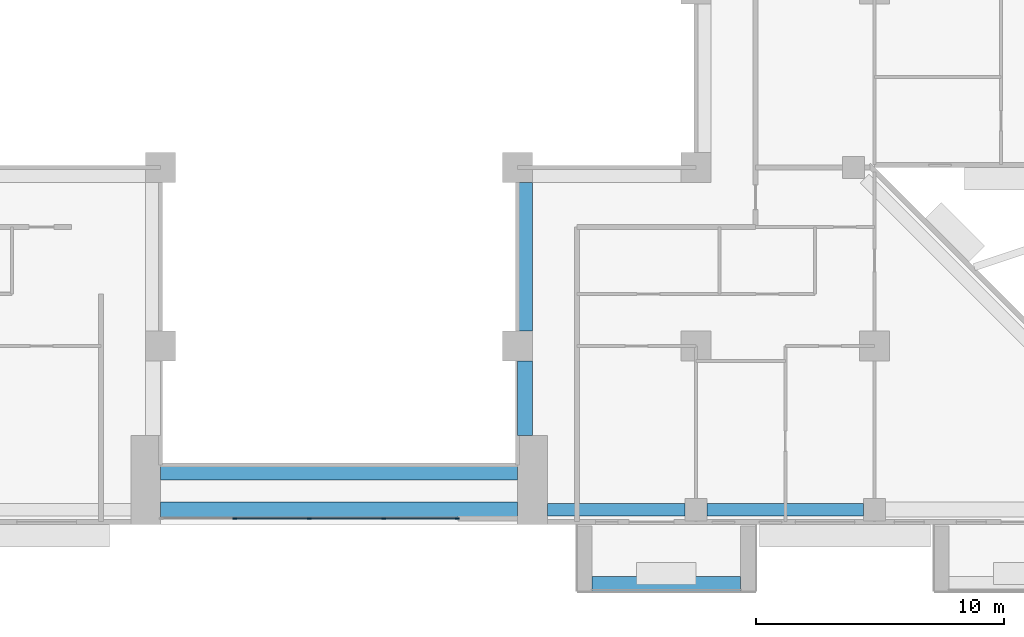
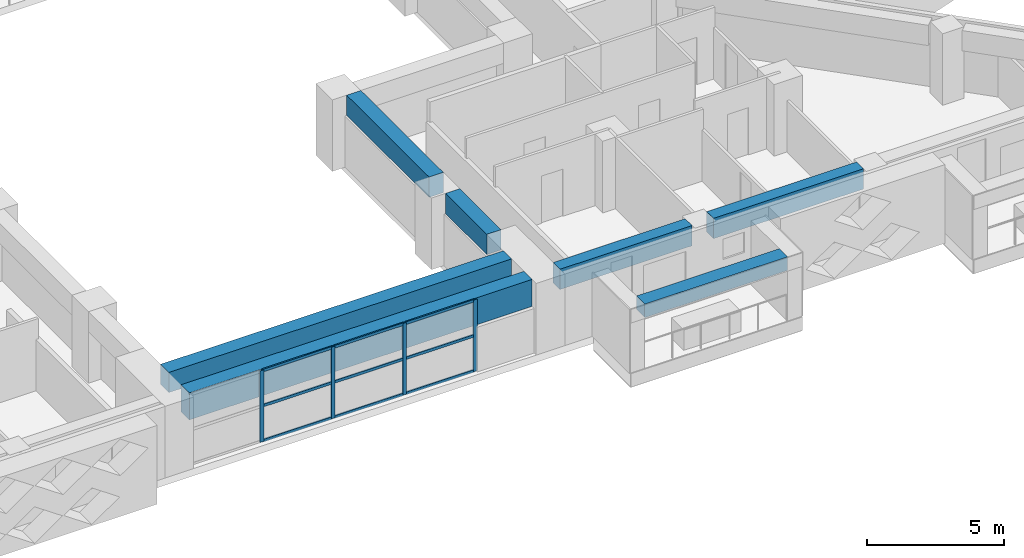
# One storey, part 4 of 17: 13 members, 7 beams, 1 element without a shape of its own.
"""IFC4 building model written with IfcOpenShell, lengths in metres."""

from ifc_helpers import new_model, si_unit, direction, frame, origin, origin_2d, place, context, subcontext, project, spatial, rectangle, extrude, source, transform, mapped, material, layer, layer_set, material_profile, profile_set, type_object, element, aggregate, save


model = new_model("IFC4")

# Units and contexts
model_context = context("Model", 3, precision=1e-05, world=origin(), true_north=direction((0.0, 1.0)))
body_context = subcontext(model_context, "Body", "Model", "MODEL_VIEW")
ifc_project = project(units=[si_unit("LENGTHUNIT", "METRE"), si_unit("AREAUNIT", "SQUARE_METRE"), si_unit("VOLUMEUNIT", "CUBIC_METRE"), si_unit("PLANEANGLEUNIT", "RADIAN"), si_unit("MASSUNIT", "GRAM", prefix="KILO")], contexts=[model_context])

# Site, building, storey
site_placement = place(None, origin())
site = spatial("IfcSite", under=ifc_project, at=site_placement, CompositionType="ELEMENT")
building_placement = place(site_placement, origin())
building = spatial("IfcBuilding", under=site, at=building_placement, Name="Saffron Iwan Residences", CompositionType="ELEMENT")
storey_placement = place(building_placement, frame((0.0, 0.0, 100.5)))
storey = spatial("IfcBuildingStorey", under=building, at=storey_placement, Name="L26", CompositionType="ELEMENT", Elevation=100.5)

# Beams
ifc_material_1 = material(Name="Concrete C60/75", Category="concrete")
ifc_material_profile_1 = material_profile(ifc_material_1, rectangle(XDim=0.60009765625, YDim=1.199951171875, at=origin_2d()), Name="RC 600x1200")
ifc_profile_set_1 = profile_set([ifc_material_profile_1], Name="Concrete C60/75")
beam_type_1 = type_object("IfcBeamType", Name="LINTEL BEAM RC 600x1200 C60/75 TOP 3180", PredefinedType="LINTEL", material=ifc_profile_set_1)
shared_shape_1 = source(origin(), body_context, "Body", "SweptSolid", [
    extrude(rectangle(XDim=0.60009765625, YDim=1.199951171875, at=origin_2d()), origin(), (0.0, 0.0, 1.0), 14.400146484375),
])
beam_1_placement = place(storey_placement, frame((57.60009765625, 34.199951171875, 2.580078125), z_axis=(-1.0, 0.0, 0.0), x_axis=(0.0, -1.0, 0.0)))
element("IfcBeam", 1, at=beam_1_placement, inside=storey, type_object=beam_type_1, Name="Lintel beam over the iwan", PredefinedType="LINTEL", context=body_context, shape_type="MappedRepresentation", body=[
    mapped(shared_shape_1, transform((0.0, 0.0, 0.0))),
])
ifc_material_profile_2 = material_profile(ifc_material_1, rectangle(XDim=0.60009765625, YDim=0.89990234375, at=origin_2d()), Name="RC 600x900")
ifc_profile_set_2 = profile_set([ifc_material_profile_2], Name="Concrete C60/75")
beam_type_2 = type_object("IfcBeamType", Name="BEAM RC 600x900 C60/75 TOP 3180", PredefinedType="BEAM", material=ifc_profile_set_2)
shared_shape_2 = source(origin(), body_context, "Body", "SweptSolid", [
    extrude(rectangle(XDim=0.60009765625, YDim=0.89990234375, at=origin_2d()), origin(), (0.0, 0.0, 1.0), 14.400146484375),
])
beam_2_placement = place(storey_placement, frame((57.60009765625, 35.699951171875, 2.72998046875), z_axis=(-1.0, 0.0, 0.0), x_axis=(0.0, -1.0, 0.0)))
element("IfcBeam", 2, at=beam_2_placement, inside=storey, type_object=beam_type_2, Name="Atrium edge beam", PredefinedType="BEAM", context=body_context, shape_type="MappedRepresentation", body=[
    mapped(shared_shape_2, transform((0.0, 0.0, 0.0))),
])
ifc_material_profile_3 = material_profile(ifc_material_1, rectangle(XDim=0.5, YDim=0.89990234375, at=origin_2d()), Name="RC 500x900")
ifc_profile_set_3 = profile_set([ifc_material_profile_3], Name="Concrete C60/75")
beam_type_3 = type_object("IfcBeamType", Name="SPANDREL BEAM RC 500x900 C60/75 TOP 3180", PredefinedType="SPANDREL", material=ifc_profile_set_3)
shared_shape_3 = source(origin(), body_context, "Body", "SweptSolid", [
    extrude(rectangle(XDim=0.5, YDim=0.89990234375, at=origin_2d()), origin(), (0.0, 0.0, 1.0), 6.300048828125),
])
beam_3_placement = place(storey_placement, frame((71.550048828125, 34.199951171875, 2.72998046875), z_axis=(-1.0, 0.0, 0.0), x_axis=(0.0, -1.0, 0.0)))
element("IfcBeam", 3, at=beam_3_placement, inside=storey, type_object=beam_type_3, Name="Spandrel beam", PredefinedType="SPANDREL", context=body_context, shape_type="MappedRepresentation", body=[
    mapped(shared_shape_3, transform((0.0, 0.0, 0.0))),
])
shared_shape_4 = source(origin(), body_context, "Body", "SweptSolid", [
    extrude(rectangle(XDim=0.5, YDim=0.89990234375, at=origin_2d()), origin(), (0.0, 0.0, 1.0), 5.550048828125),
])
beam_4_placement = place(storey_placement, frame((64.35009765625, 34.199951171875, 2.72998046875), z_axis=(-1.0, 0.0, 0.0), x_axis=(0.0, -1.0, 0.0)))
element("IfcBeam", 4, at=beam_4_placement, inside=storey, type_object=beam_type_3, Name="Spandrel beam", PredefinedType="SPANDREL", context=body_context, shape_type="MappedRepresentation", body=[
    mapped(shared_shape_4, transform((0.0, 0.0, 0.0))),
])
shared_shape_5 = source(origin(), body_context, "Body", "SweptSolid", [
    extrude(rectangle(XDim=0.60009765625, YDim=0.89990234375, at=origin_2d()), origin(), (0.0, 0.0, 1.0), 3.0),
])
beam_5_placement = place(storey_placement, frame((57.89990234375, 40.199951171875, 2.72998046875), z_axis=(0.0, -1.0, 0.0), x_axis=(1.0, 0.0, 0.0)))
element("IfcBeam", 5, at=beam_5_placement, inside=storey, type_object=beam_type_2, Name="Atrium edge beam", PredefinedType="BEAM", context=body_context, shape_type="MappedRepresentation", body=[
    mapped(shared_shape_5, transform((0.0, 0.0, 0.0))),
])
shared_shape_6 = source(origin(), body_context, "Body", "SweptSolid", [
    extrude(rectangle(XDim=0.60009765625, YDim=0.89990234375, at=origin_2d()), origin(), (0.0, 0.0, 1.0), 6.0),
])
beam_6_placement = place(storey_placement, frame((57.89990234375, 47.39990234375, 2.72998046875), z_axis=(0.0, -1.0, 0.0), x_axis=(1.0, 0.0, 0.0)))
element("IfcBeam", 6, at=beam_6_placement, inside=storey, type_object=beam_type_2, Name="Atrium edge beam", PredefinedType="BEAM", context=body_context, shape_type="MappedRepresentation", body=[
    mapped(shared_shape_6, transform((0.0, 0.0, 0.0))),
])

# Curtain wall, members
ifc_material_2 = material(Name="Clear glass, laminated double glazed", Category="glass")
ifc_layer = layer(ifc_material_2, 0.199951171875)
ifc_layer_set = layer_set([ifc_layer], Name="Clear glass, laminated double glazed")
curtain_wall_type = type_object("IfcCurtainWallType", Name="CW-B IWAN PORTAL", PredefinedType="NOTDEFINED", material=ifc_layer_set)
curtain_wall_placement = place(storey_placement, origin())
curtain_wall = element("IfcCurtainWall", 7, at=curtain_wall_placement, inside=storey, type_object=curtain_wall_type, Name="Iwan portal glazing L26.1", PredefinedType="NOTDEFINED")
ifc_material_3 = material(Name="Aluminium 6063-T6", Category="aluminium")
ifc_material_profile_4 = material_profile(ifc_material_3, rectangle(XDim=0.06005859375, YDim=0.159912109375, at=origin_2d()), Name="CW-B MULLION 60 x 160")
ifc_profile_set_4 = profile_set([ifc_material_profile_4], Name="Aluminium 6063-T6")
member_type_1 = type_object("IfcMemberType", Name="CW-B MULLION 60 x 160", PredefinedType="MULLION", material=ifc_profile_set_4)
shared_shape_7 = source(origin(), body_context, "Body", "SweptSolid", [
    extrude(rectangle(XDim=0.06005859375, YDim=0.159912109375, at=origin_2d()), origin(), (0.0, 0.0, 1.0), 3.179931640625),
])
member_1_placement = place(storey_placement, frame((46.199951171875, 33.85009765625, 0.0), z_axis=(0.0, 0.0, 1.0), x_axis=(0.0, 1.0, 0.0)))
member_1 = element("IfcMember", 8, at=member_1_placement, type_object=member_type_1, Name="CW-B mullion 2", PredefinedType="MULLION", context=body_context, shape_type="MappedRepresentation", body=[
    mapped(shared_shape_7, transform((0.0, 0.0, 0.0))),
])
member_2_placement = place(storey_placement, frame((49.199951171875, 33.85009765625, 0.0), z_axis=(0.0, 0.0, 1.0), x_axis=(0.0, 1.0, 0.0)))
member_2 = element("IfcMember", 9, at=member_2_placement, type_object=member_type_1, Name="CW-B mullion 3", PredefinedType="MULLION", context=body_context, shape_type="MappedRepresentation", body=[
    mapped(shared_shape_7, transform((0.0, 0.0, 0.0))),
])
member_3_placement = place(storey_placement, frame((52.199951171875, 33.85009765625, 0.0), z_axis=(0.0, 0.0, 1.0), x_axis=(0.0, 1.0, 0.0)))
member_3 = element("IfcMember", 10, at=member_3_placement, type_object=member_type_1, Name="CW-B mullion 4", PredefinedType="MULLION", context=body_context, shape_type="MappedRepresentation", body=[
    mapped(shared_shape_7, transform((0.0, 0.0, 0.0))),
])
member_4_placement = place(storey_placement, frame((55.169921875, 33.85009765625, 0.0), z_axis=(0.0, 0.0, 1.0), x_axis=(0.0, 1.0, 0.0)))
member_4 = element("IfcMember", 11, at=member_4_placement, type_object=member_type_1, Name="CW-B mullion 5", PredefinedType="MULLION", context=body_context, shape_type="MappedRepresentation", body=[
    mapped(shared_shape_7, transform((0.0, 0.0, 0.0))),
])
ifc_material_profile_5 = material_profile(ifc_material_3, rectangle(XDim=0.06005859375, YDim=0.1201171875, at=origin_2d()), Name="CW-B TRANSOM 60 x 120")
ifc_profile_set_5 = profile_set([ifc_material_profile_5], Name="Aluminium 6063-T6")
member_type_2 = type_object("IfcMemberType", Name="CW-B TRANSOM 60 x 120", PredefinedType="USERDEFINED", material=ifc_profile_set_5)
shared_shape_8 = source(origin(), body_context, "Body", "SweptSolid", [
    extrude(rectangle(XDim=0.06005859375, YDim=0.1201171875, at=origin_2d()), origin(), (0.0, 0.0, 1.0), 2.909912109375),
])
member_5_placement = place(storey_placement, frame((52.22998046875, 33.85009765625, 0.030029296875), z_axis=(1.0, 0.0, 0.0), x_axis=(0.0, 1.0, 0.0)))
member_5 = element("IfcMember", 12, at=member_5_placement, type_object=member_type_2, Name="CW-B transom 4.1", ObjectType="TRANSOM", PredefinedType="USERDEFINED", context=body_context, shape_type="MappedRepresentation", body=[
    mapped(shared_shape_8, transform((0.0, 0.0, 0.0))),
])
member_6_placement = place(storey_placement, frame((52.22998046875, 33.85009765625, 1.590087890625), z_axis=(1.0, 0.0, 0.0), x_axis=(0.0, 1.0, 0.0)))
member_6 = element("IfcMember", 13, at=member_6_placement, type_object=member_type_2, Name="CW-B transom 4.2", ObjectType="TRANSOM", PredefinedType="USERDEFINED", context=body_context, shape_type="MappedRepresentation", body=[
    mapped(shared_shape_8, transform((0.0, 0.0, 0.0))),
])
member_7_placement = place(storey_placement, frame((52.22998046875, 33.85009765625, 3.14990234375), z_axis=(1.0, 0.0, 0.0), x_axis=(0.0, 1.0, 0.0)))
member_7 = element("IfcMember", 14, at=member_7_placement, type_object=member_type_2, Name="CW-B transom 4.3", ObjectType="TRANSOM", PredefinedType="USERDEFINED", context=body_context, shape_type="MappedRepresentation", body=[
    mapped(shared_shape_8, transform((0.0, 0.0, 0.0))),
])
shared_shape_9 = source(origin(), body_context, "Body", "SweptSolid", [
    extrude(rectangle(XDim=0.06005859375, YDim=0.1201171875, at=origin_2d()), origin(), (0.0, 0.0, 1.0), 2.93994140625),
])
member_8_placement = place(storey_placement, frame((46.22998046875, 33.85009765625, 0.030029296875), z_axis=(1.0, 0.0, 0.0), x_axis=(0.0, 1.0, 0.0)))
member_8 = element("IfcMember", 15, at=member_8_placement, type_object=member_type_2, Name="CW-B transom 2.1", ObjectType="TRANSOM", PredefinedType="USERDEFINED", context=body_context, shape_type="MappedRepresentation", body=[
    mapped(shared_shape_9, transform((0.0, 0.0, 0.0))),
])
member_9_placement = place(storey_placement, frame((46.22998046875, 33.85009765625, 1.590087890625), z_axis=(1.0, 0.0, 0.0), x_axis=(0.0, 1.0, 0.0)))
member_9 = element("IfcMember", 16, at=member_9_placement, type_object=member_type_2, Name="CW-B transom 2.2", ObjectType="TRANSOM", PredefinedType="USERDEFINED", context=body_context, shape_type="MappedRepresentation", body=[
    mapped(shared_shape_9, transform((0.0, 0.0, 0.0))),
])
member_10_placement = place(storey_placement, frame((46.22998046875, 33.85009765625, 3.14990234375), z_axis=(1.0, 0.0, 0.0), x_axis=(0.0, 1.0, 0.0)))
member_10 = element("IfcMember", 17, at=member_10_placement, type_object=member_type_2, Name="CW-B transom 2.3", ObjectType="TRANSOM", PredefinedType="USERDEFINED", context=body_context, shape_type="MappedRepresentation", body=[
    mapped(shared_shape_9, transform((0.0, 0.0, 0.0))),
])
member_11_placement = place(storey_placement, frame((49.22998046875, 33.85009765625, 0.030029296875), z_axis=(1.0, 0.0, 0.0), x_axis=(0.0, 1.0, 0.0)))
member_11 = element("IfcMember", 18, at=member_11_placement, type_object=member_type_2, Name="CW-B transom 3.1", ObjectType="TRANSOM", PredefinedType="USERDEFINED", context=body_context, shape_type="MappedRepresentation", body=[
    mapped(shared_shape_9, transform((0.0, 0.0, 0.0))),
])
member_12_placement = place(storey_placement, frame((49.22998046875, 33.85009765625, 1.590087890625), z_axis=(1.0, 0.0, 0.0), x_axis=(0.0, 1.0, 0.0)))
member_12 = element("IfcMember", 19, at=member_12_placement, type_object=member_type_2, Name="CW-B transom 3.2", ObjectType="TRANSOM", PredefinedType="USERDEFINED", context=body_context, shape_type="MappedRepresentation", body=[
    mapped(shared_shape_9, transform((0.0, 0.0, 0.0))),
])
member_13_placement = place(storey_placement, frame((49.22998046875, 33.85009765625, 3.14990234375), z_axis=(1.0, 0.0, 0.0), x_axis=(0.0, 1.0, 0.0)))
member_13 = element("IfcMember", 20, at=member_13_placement, type_object=member_type_2, Name="CW-B transom 3.3", ObjectType="TRANSOM", PredefinedType="USERDEFINED", context=body_context, shape_type="MappedRepresentation", body=[
    mapped(shared_shape_9, transform((0.0, 0.0, 0.0))),
])
aggregate(curtain_wall, [member_1, member_2, member_3, member_4, member_8, member_9, member_10, member_11, member_12, member_13, member_5, member_6, member_7])

# Beam
ifc_material_4 = material(Name="Concrete C50/60 white painted", Category="concrete")
ifc_material_profile_6 = material_profile(ifc_material_4, rectangle(XDim=0.60009765625, YDim=0.60009765625, at=origin_2d()), Name="BALCONY FASCIA BEAM 600 x 600")
ifc_profile_set_6 = profile_set([ifc_material_profile_6], Name="Concrete C50/60 white painted")
beam_type_4 = type_object("IfcBeamType", Name="BALCONY FASCIA BEAM 600 x 600", PredefinedType="BEAM", material=ifc_profile_set_6)
shared_shape_10 = source(origin(), body_context, "Body", "SweptSolid", [
    extrude(rectangle(XDim=0.60009765625, YDim=0.60009765625, at=origin_2d()), origin(), (0.0, 0.0, 1.0), 6.0),
])
beam_7_placement = place(storey_placement, frame((60.60009765625, 31.199951171875, 2.550048828125), z_axis=(1.0, 0.0, 0.0), x_axis=(0.0, 1.0, 0.0)))
element("IfcBeam", 21, at=beam_7_placement, inside=storey, type_object=beam_type_4, Name="Balcony fascia beam L26 11-1", PredefinedType="BEAM", context=body_context, shape_type="MappedRepresentation", body=[
    mapped(shared_shape_10, transform((0.0, 0.0, 0.0))),
])

save(model, "model.ifc")
